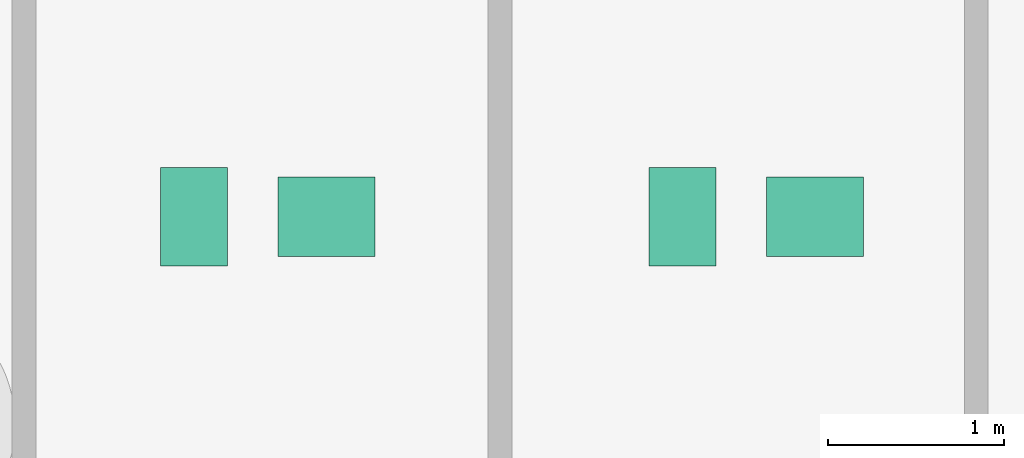
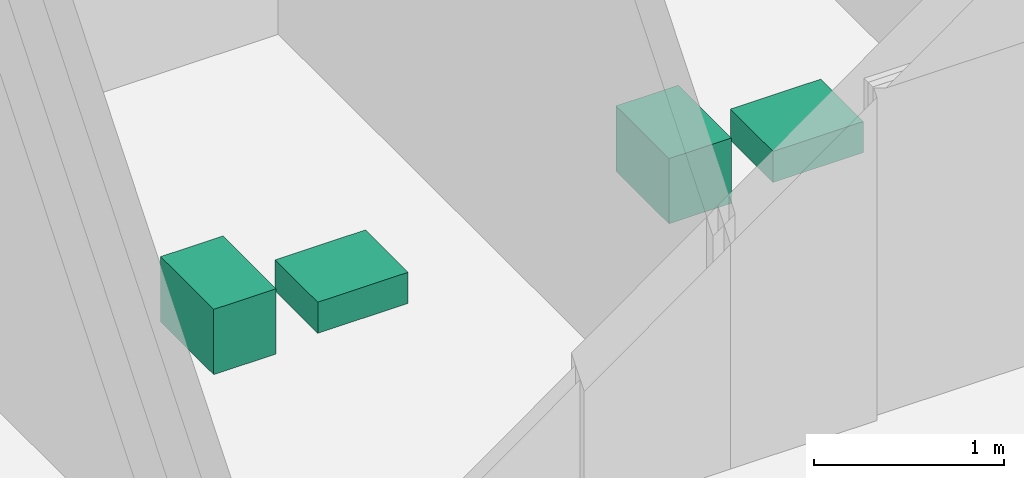
# One storey, part 12 of 13: 4 sanitary terminals.
"""IFC4 building model written with IfcOpenShell, lengths in metres."""

from ifc_helpers import new_model, si_unit, direction, frame, origin, origin_2d, place, context, subcontext, project, spatial, rectangle, extrude, material, type_object, element, save


model = new_model("IFC4")

# Units and contexts
model_context = context("Model", 3, precision=1e-05, world=origin(), true_north=direction((0.0, 1.0)))
body_context = subcontext(model_context, "Body", "Model", "MODEL_VIEW")
ifc_project = project(units=[si_unit("LENGTHUNIT", "METRE"), si_unit("AREAUNIT", "SQUARE_METRE"), si_unit("VOLUMEUNIT", "CUBIC_METRE"), si_unit("PLANEANGLEUNIT", "RADIAN"), si_unit("MASSUNIT", "GRAM", prefix="KILO")], contexts=[model_context])

# Site, building, storey
site_placement = place(None, origin())
site = spatial("IfcSite", under=ifc_project, at=site_placement, CompositionType="ELEMENT")
building_placement = place(site_placement, origin())
building = spatial("IfcBuilding", under=site, at=building_placement, Name="Zuhayl Quay Hotel", CompositionType="ELEMENT")
storey_placement = place(building_placement, frame((0.0, 0.0, -9.0)))
storey = spatial("IfcBuildingStorey", under=building, at=storey_placement, Name="B2", CompositionType="ELEMENT", Elevation=-9.0)

# Sanitary terminals
ifc_material = material(Name="Vitreous Porcelain Sanitaryware")
sanitary_terminal_type_1 = type_object("IfcSanitaryTerminalType", Name="SAN_BASIN", PredefinedType="WASHHANDBASIN", material=ifc_material)
for number, where, z_axis, x_axis, name in (
    (1, (26.514892578125, 19.175048828125, 0.0), (0.0, 0.0, 1.0), (1.0, 0.0, 0.0), "B2 Sanitary Fixture WASHHANDBASIN"),
    (2, (29.284912109375, 19.175048828125, 0.0), (0.0, 0.0, 1.0), (1.0, 0.0, 0.0), "B2 Sanitary Fixture WASHHANDBASIN"),
):
    element("IfcSanitaryTerminal", number, at=place(storey_placement, frame(where, z_axis=z_axis, x_axis=x_axis)), inside=storey, type_object=sanitary_terminal_type_1, Name=name, PredefinedType="WASHHANDBASIN", context=body_context, shape_type="SweptSolid", body=[
        extrude(rectangle(XDim=0.550048828125, YDim=0.449951171875, at=origin_2d()), origin(), (0.0, 0.0, 1.0), 0.199951171875),
    ])
sanitary_terminal_type_2 = type_object("IfcSanitaryTerminalType", Name="SAN_WC", PredefinedType="TOILETPAN", material=ifc_material)
for number, where, z_axis, x_axis, name in (
    (3, (25.764892578125, 19.175048828125, 0.0), (0.0, 0.0, 1.0), (1.0, 0.0, 0.0), "B2 Sanitary Fixture TOILETPAN"),
    (4, (28.534912109375, 19.175048828125, 0.0), (0.0, 0.0, 1.0), (1.0, 0.0, 0.0), "B2 Sanitary Fixture TOILETPAN"),
):
    element("IfcSanitaryTerminal", number, at=place(storey_placement, frame(where, z_axis=z_axis, x_axis=x_axis)), inside=storey, type_object=sanitary_terminal_type_2, Name=name, PredefinedType="TOILETPAN", context=body_context, shape_type="SweptSolid", body=[
        extrude(rectangle(XDim=0.3798828125, YDim=0.56005859375, at=origin_2d()), origin(), (0.0, 0.0, 1.0), 0.419921875),
    ])

save(model, "model.ifc")
